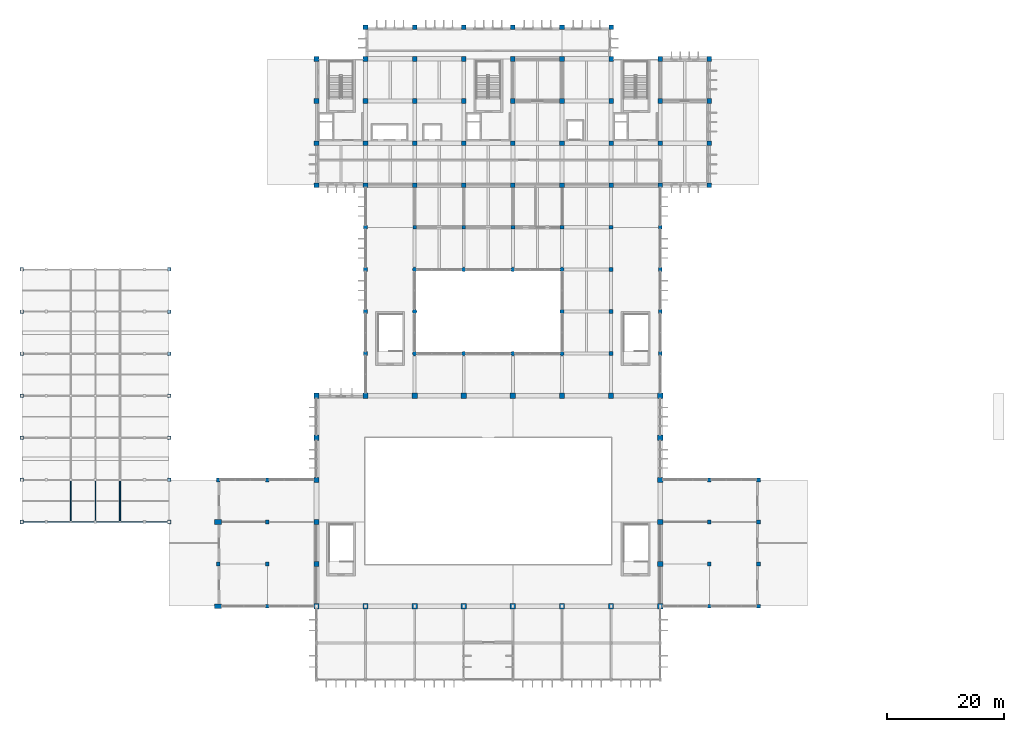
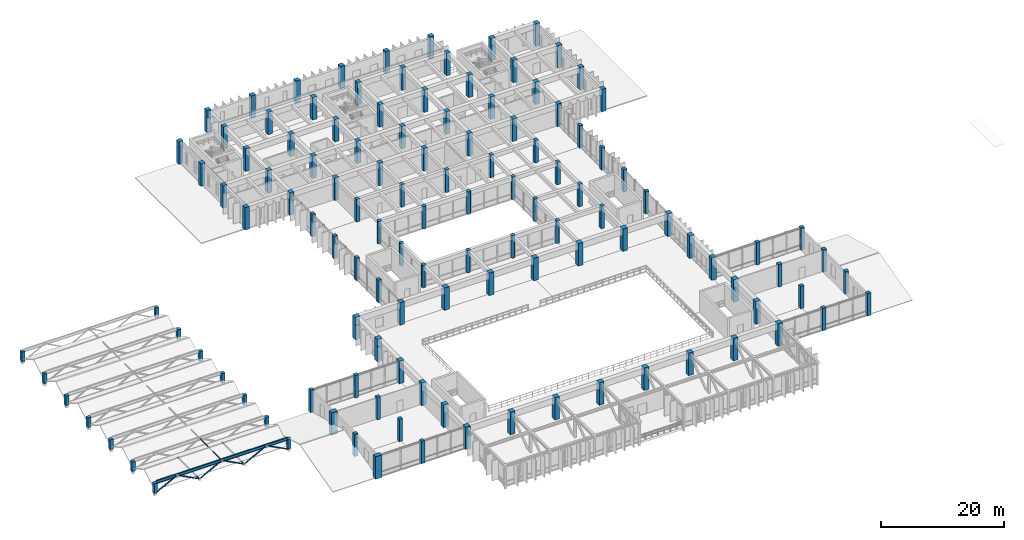
# One storey, part 1 of 40: 122 columns, 9 members, 1 beam.
"""IFC4 building model written with IfcOpenShell, lengths in metres."""

from ifc_helpers import new_model, si_unit, direction, frame, origin, origin_2d, place, context, subcontext, project, spatial, rectangle, circle, hollow_circle, i_section, extrude, material, material_profile, profile_set, type_object, element, save


model = new_model("IFC4")

# Units and contexts
model_context = context("Model", 3, precision=1e-05, world=origin(), true_north=direction((0.0, 1.0)))
body_context = subcontext(model_context, "Body", "Model", "MODEL_VIEW")
ifc_project = project(units=[si_unit("LENGTHUNIT", "METRE"), si_unit("AREAUNIT", "SQUARE_METRE"), si_unit("VOLUMEUNIT", "CUBIC_METRE"), si_unit("PLANEANGLEUNIT", "RADIAN"), si_unit("MASSUNIT", "GRAM", prefix="KILO")], contexts=[model_context])

# Site, building, storey
site_placement = place(None, origin())
site = spatial("IfcSite", under=ifc_project, at=site_placement, CompositionType="ELEMENT")
building_placement = place(site_placement, origin())
building = spatial("IfcBuilding", under=site, at=building_placement, Name="Kenerak Square Central Library", CompositionType="ELEMENT")
storey_placement = place(building_placement, frame((0.0, 0.0, 14.39990234375)))
storey = spatial("IfcBuildingStorey", under=building, at=storey_placement, Name="L03", CompositionType="ELEMENT", Elevation=14.39990234375)

# Columns
ifc_material_1 = material(Name="Concrete C40/50", Category="concrete")
ifc_material_profile_1 = material_profile(ifc_material_1, circle(Radius=0.375, at=origin_2d()), Name="RC D750")
ifc_profile_set_1 = profile_set([ifc_material_profile_1], Name="Concrete C40/50")
column_type_1 = type_object("IfcColumnType", Name="Atrium Column C-13 RC D750 C40/50", PredefinedType="COLUMN", material=ifc_profile_set_1)
for number, where, z_axis, x_axis, name in (
    (1, (75.199951171875, 60.0, 0.0), (0.0, 0.0, 1.0), (1.0, 0.0, 0.0), "Column C-13 L03 9/J"),
    (2, (75.199951171875, 67.199951171875, 0.0), (0.0, 0.0, 1.0), (1.0, 0.0, 0.0), "Column C-13 L03 9/K"),
    (3, (75.199951171875, 74.39990234375, 0.0), (0.0, 0.0, 1.0), (1.0, 0.0, 0.0), "Column C-13 L03 9/L"),
    (4, (83.60009765625, 60.0, 0.0), (0.0, 0.0, 1.0), (1.0, 0.0, 0.0), "Column C-13 L03 10/J"),
    (5, (83.60009765625, 74.39990234375, 0.0), (0.0, 0.0, 1.0), (1.0, 0.0, 0.0), "Column C-13 L03 10/L"),
    (6, (92.0, 60.0, 0.0), (0.0, 0.0, 1.0), (1.0, 0.0, 0.0), "Column C-13 L03 11/J"),
    (7, (92.0, 74.39990234375, 0.0), (0.0, 0.0, 1.0), (1.0, 0.0, 0.0), "Column C-13 L03 11/L"),
    (8, (100.39990234375, 60.0, 0.0), (0.0, 0.0, 1.0), (1.0, 0.0, 0.0), "Column C-13 L03 12/J"),
    (9, (100.39990234375, 67.199951171875, 0.0), (0.0, 0.0, 1.0), (1.0, 0.0, 0.0), "Column C-13 L03 12/K"),
    (10, (100.39990234375, 74.39990234375, 0.0), (0.0, 0.0, 1.0), (1.0, 0.0, 0.0), "Column C-13 L03 12/L"),
):
    element("IfcColumn", number, at=place(storey_placement, frame(where, z_axis=z_axis, x_axis=x_axis)), inside=storey, type_object=column_type_1, Name=name, PredefinedType="COLUMN", context=body_context, shape_type="SweptSolid", body=[
        extrude(circle(Radius=0.375, at=origin_2d()), origin(), (0.0, 0.0, 1.0), 4.47998046875),
    ])
ifc_material_2 = material(Name="Concrete C45/55", Category="concrete")
ifc_material_profile_2 = material_profile(ifc_material_2, rectangle(XDim=0.89990234375, YDim=0.89990234375, at=origin_2d()), Name="RC 900x900")
ifc_profile_set_2 = profile_set([ifc_material_profile_2], Name="Concrete C45/55")
column_type_2 = type_object("IfcColumnType", Name="Column C-02 RC 900x900 C45/55", PredefinedType="COLUMN", material=ifc_profile_set_2)
for number, where, z_axis, x_axis, name in (
    (11, (58.39990234375, 16.800048828125, 0.0), (0.0, 0.0, 1.0), (1.0, 0.0, 0.0), "Column C-02 L03 7/C"),
    (12, (58.39990234375, 24.0, 0.0), (0.0, 0.0, 1.0), (1.0, 0.0, 0.0), "Column C-02 L03 7/D"),
    (13, (58.39990234375, 31.199951171875, 0.0), (0.0, 0.0, 1.0), (1.0, 0.0, 0.0), "Column C-02 L03 7/E"),
    (14, (58.39990234375, 38.39990234375, 0.0), (0.0, 0.0, 1.0), (1.0, 0.0, 0.0), "Column C-02 L03 7/F"),
    (15, (58.39990234375, 45.60009765625, 0.0), (0.0, 0.0, 1.0), (1.0, 0.0, 0.0), "Column C-02 L03 7/G"),
    (16, (58.39990234375, 52.800048828125, 0.0), (0.0, 0.0, 1.0), (1.0, 0.0, 0.0), "Column C-02 L03 7/H"),
    (17, (66.800048828125, 16.800048828125, 0.0), (0.0, 0.0, 1.0), (1.0, 0.0, 0.0), "Column C-02 L03 8/C"),
    (18, (66.800048828125, 52.800048828125, 0.0), (0.0, 0.0, 1.0), (1.0, 0.0, 0.0), "Column C-02 L03 8/H"),
    (19, (75.199951171875, 16.800048828125, 0.0), (0.0, 0.0, 1.0), (1.0, 0.0, 0.0), "Column C-02 L03 9/C"),
    (20, (75.199951171875, 52.800048828125, 0.0), (0.0, 0.0, 1.0), (1.0, 0.0, 0.0), "Column C-02 L03 9/H"),
    (21, (83.60009765625, 16.800048828125, 0.0), (0.0, 0.0, 1.0), (1.0, 0.0, 0.0), "Column C-02 L03 10/C"),
    (22, (83.60009765625, 52.800048828125, 0.0), (0.0, 0.0, 1.0), (1.0, 0.0, 0.0), "Column C-02 L03 10/H"),
    (23, (92.0, 16.800048828125, 0.0), (0.0, 0.0, 1.0), (1.0, 0.0, 0.0), "Column C-02 L03 11/C"),
    (24, (92.0, 52.800048828125, 0.0), (0.0, 0.0, 1.0), (1.0, 0.0, 0.0), "Column C-02 L03 11/H"),
    (25, (100.39990234375, 16.800048828125, 0.0), (0.0, 0.0, 1.0), (1.0, 0.0, 0.0), "Column C-02 L03 12/C"),
    (26, (100.39990234375, 52.800048828125, 0.0), (0.0, 0.0, 1.0), (1.0, 0.0, 0.0), "Column C-02 L03 12/H"),
    (27, (108.800048828125, 16.800048828125, 0.0), (0.0, 0.0, 1.0), (1.0, 0.0, 0.0), "Column C-02 L03 13/C"),
    (28, (108.800048828125, 52.800048828125, 0.0), (0.0, 0.0, 1.0), (1.0, 0.0, 0.0), "Column C-02 L03 13/H"),
    (29, (117.199951171875, 16.800048828125, 0.0), (0.0, 0.0, 1.0), (1.0, 0.0, 0.0), "Column C-02 L03 14/C"),
    (30, (117.199951171875, 24.0, 0.0), (0.0, 0.0, 1.0), (1.0, 0.0, 0.0), "Column C-02 L03 14/D"),
    (31, (117.199951171875, 31.199951171875, 0.0), (0.0, 0.0, 1.0), (1.0, 0.0, 0.0), "Column C-02 L03 14/E"),
    (32, (117.199951171875, 38.39990234375, 0.0), (0.0, 0.0, 1.0), (1.0, 0.0, 0.0), "Column C-02 L03 14/F"),
    (33, (117.199951171875, 45.60009765625, 0.0), (0.0, 0.0, 1.0), (1.0, 0.0, 0.0), "Column C-02 L03 14/G"),
    (34, (117.199951171875, 52.800048828125, 0.0), (0.0, 0.0, 1.0), (1.0, 0.0, 0.0), "Column C-02 L03 14/H"),
):
    element("IfcColumn", number, at=place(storey_placement, frame(where, z_axis=z_axis, x_axis=x_axis)), inside=storey, type_object=column_type_2, Name=name, PredefinedType="COLUMN", context=body_context, shape_type="SweptSolid", body=[
        extrude(rectangle(XDim=0.89990234375, YDim=0.89990234375, at=origin_2d()), origin(), (0.0, 0.0, 1.0), 4.47998046875),
    ])
ifc_material_profile_3 = material_profile(ifc_material_2, rectangle(XDim=0.800048828125, YDim=0.800048828125, at=origin_2d()), Name="RC 800x800")
ifc_profile_set_3 = profile_set([ifc_material_profile_3], Name="Concrete C45/55")
column_type_3 = type_object("IfcColumnType", Name="Column C-04 RC 800x800 C45/55", PredefinedType="COLUMN", material=ifc_profile_set_3)
for number, where, z_axis, x_axis, name in (
    (35, (58.39990234375, 88.800048828125, 0.0), (0.0, 0.0, 1.0), (1.0, 0.0, 0.0), "Column C-04 L03 7/N"),
    (36, (58.39990234375, 96.0, 0.0), (0.0, 0.0, 1.0), (1.0, 0.0, 0.0), "Column C-04 L03 7/P"),
    (37, (58.39990234375, 103.199951171875, 0.0), (0.0, 0.0, 1.0), (1.0, 0.0, 0.0), "Column C-04 L03 7/Q"),
    (38, (58.39990234375, 110.39990234375, 0.0), (0.0, 0.0, 1.0), (1.0, 0.0, 0.0), "Column C-04 L03 7/R"),
    (39, (66.800048828125, 88.800048828125, 0.0), (0.0, 0.0, 1.0), (1.0, 0.0, 0.0), "Column C-04 L03 8/N"),
    (40, (66.800048828125, 96.0, 0.0), (0.0, 0.0, 1.0), (1.0, 0.0, 0.0), "Column C-04 L03 8/P"),
    (41, (66.800048828125, 103.199951171875, 0.0), (0.0, 0.0, 1.0), (1.0, 0.0, 0.0), "Column C-04 L03 8/Q"),
    (42, (66.800048828125, 110.39990234375, 0.0), (0.0, 0.0, 1.0), (1.0, 0.0, 0.0), "Column C-04 L03 8/R"),
    (43, (66.800048828125, 115.800048828125, 0.0), (0.0, 0.0, 1.0), (1.0, 0.0, 0.0), "Column C-04 L03 8/S"),
    (44, (75.199951171875, 88.800048828125, 0.0), (0.0, 0.0, 1.0), (1.0, 0.0, 0.0), "Column C-04 L03 9/N"),
    (45, (75.199951171875, 96.0, 0.0), (0.0, 0.0, 1.0), (1.0, 0.0, 0.0), "Column C-04 L03 9/P"),
    (46, (75.199951171875, 103.199951171875, 0.0), (0.0, 0.0, 1.0), (1.0, 0.0, 0.0), "Column C-04 L03 9/Q"),
    (47, (75.199951171875, 110.39990234375, 0.0), (0.0, 0.0, 1.0), (1.0, 0.0, 0.0), "Column C-04 L03 9/R"),
    (48, (75.199951171875, 115.800048828125, 0.0), (0.0, 0.0, 1.0), (1.0, 0.0, 0.0), "Column C-04 L03 9/S"),
    (49, (83.60009765625, 88.800048828125, 0.0), (0.0, 0.0, 1.0), (1.0, 0.0, 0.0), "Column C-04 L03 10/N"),
    (50, (83.60009765625, 96.0, 0.0), (0.0, 0.0, 1.0), (1.0, 0.0, 0.0), "Column C-04 L03 10/P"),
    (51, (83.60009765625, 103.199951171875, 0.0), (0.0, 0.0, 1.0), (1.0, 0.0, 0.0), "Column C-04 L03 10/Q"),
    (52, (83.60009765625, 110.39990234375, 0.0), (0.0, 0.0, 1.0), (1.0, 0.0, 0.0), "Column C-04 L03 10/R"),
    (53, (83.60009765625, 115.800048828125, 0.0), (0.0, 0.0, 1.0), (1.0, 0.0, 0.0), "Column C-04 L03 10/S"),
    (54, (92.0, 88.800048828125, 0.0), (0.0, 0.0, 1.0), (1.0, 0.0, 0.0), "Column C-04 L03 11/N"),
    (55, (92.0, 96.0, 0.0), (0.0, 0.0, 1.0), (1.0, 0.0, 0.0), "Column C-04 L03 11/P"),
    (56, (92.0, 103.199951171875, 0.0), (0.0, 0.0, 1.0), (1.0, 0.0, 0.0), "Column C-04 L03 11/Q"),
    (57, (92.0, 110.39990234375, 0.0), (0.0, 0.0, 1.0), (1.0, 0.0, 0.0), "Column C-04 L03 11/R"),
    (58, (92.0, 115.800048828125, 0.0), (0.0, 0.0, 1.0), (1.0, 0.0, 0.0), "Column C-04 L03 11/S"),
    (59, (100.39990234375, 88.800048828125, 0.0), (0.0, 0.0, 1.0), (1.0, 0.0, 0.0), "Column C-04 L03 12/N"),
    (60, (100.39990234375, 96.0, 0.0), (0.0, 0.0, 1.0), (1.0, 0.0, 0.0), "Column C-04 L03 12/P"),
    (61, (100.39990234375, 103.199951171875, 0.0), (0.0, 0.0, 1.0), (1.0, 0.0, 0.0), "Column C-04 L03 12/Q"),
    (62, (100.39990234375, 110.39990234375, 0.0), (0.0, 0.0, 1.0), (1.0, 0.0, 0.0), "Column C-04 L03 12/R"),
    (63, (100.39990234375, 115.800048828125, 0.0), (0.0, 0.0, 1.0), (1.0, 0.0, 0.0), "Column C-04 L03 12/S"),
    (64, (108.800048828125, 88.800048828125, 0.0), (0.0, 0.0, 1.0), (1.0, 0.0, 0.0), "Column C-04 L03 13/N"),
    (65, (108.800048828125, 96.0, 0.0), (0.0, 0.0, 1.0), (1.0, 0.0, 0.0), "Column C-04 L03 13/P"),
    (66, (108.800048828125, 103.199951171875, 0.0), (0.0, 0.0, 1.0), (1.0, 0.0, 0.0), "Column C-04 L03 13/Q"),
    (67, (108.800048828125, 110.39990234375, 0.0), (0.0, 0.0, 1.0), (1.0, 0.0, 0.0), "Column C-04 L03 13/R"),
    (68, (108.800048828125, 115.800048828125, 0.0), (0.0, 0.0, 1.0), (1.0, 0.0, 0.0), "Column C-04 L03 13/S"),
    (69, (117.199951171875, 88.800048828125, 0.0), (0.0, 0.0, 1.0), (1.0, 0.0, 0.0), "Column C-04 L03 14/N"),
    (70, (117.199951171875, 96.0, 0.0), (0.0, 0.0, 1.0), (1.0, 0.0, 0.0), "Column C-04 L03 14/P"),
    (71, (117.199951171875, 103.199951171875, 0.0), (0.0, 0.0, 1.0), (1.0, 0.0, 0.0), "Column C-04 L03 14/Q"),
    (72, (117.199951171875, 110.39990234375, 0.0), (0.0, 0.0, 1.0), (1.0, 0.0, 0.0), "Column C-04 L03 14/R"),
    (73, (125.60009765625, 88.800048828125, 0.0), (0.0, 0.0, 1.0), (1.0, 0.0, 0.0), "Column C-04 L03 15/N"),
    (74, (125.60009765625, 96.0, 0.0), (0.0, 0.0, 1.0), (1.0, 0.0, 0.0), "Column C-04 L03 15/P"),
    (75, (125.60009765625, 103.199951171875, 0.0), (0.0, 0.0, 1.0), (1.0, 0.0, 0.0), "Column C-04 L03 15/Q"),
    (76, (125.60009765625, 110.39990234375, 0.0), (0.0, 0.0, 1.0), (1.0, 0.0, 0.0), "Column C-04 L03 15/R"),
):
    element("IfcColumn", number, at=place(storey_placement, frame(where, z_axis=z_axis, x_axis=x_axis)), inside=storey, type_object=column_type_3, Name=name, PredefinedType="COLUMN", context=body_context, shape_type="SweptSolid", body=[
        extrude(rectangle(XDim=0.800048828125, YDim=0.800048828125, at=origin_2d()), origin(), (0.0, 0.0, 1.0), 4.47998046875),
    ])
ifc_material_profile_4 = material_profile(ifc_material_1, rectangle(XDim=0.64990234375, YDim=0.64990234375, at=origin_2d()), Name="RC 650x650")
ifc_profile_set_4 = profile_set([ifc_material_profile_4], Name="Concrete C40/50")
column_type_4 = type_object("IfcColumnType", Name="Column C-07 RC 650x650 C40/50", PredefinedType="COLUMN", material=ifc_profile_set_4)
for number, where, z_axis, x_axis, name in (
    (77, (41.60009765625, 24.0, 0.0), (0.0, 0.0, 1.0), (1.0, 0.0, 0.0), "Column C-07 L03 5/D"),
    (78, (41.60009765625, 38.39990234375, 0.0), (0.0, 0.0, 1.0), (1.0, 0.0, 0.0), "Column C-07 L03 5/F"),
    (79, (50.0, 16.800048828125, 0.0), (0.0, 0.0, 1.0), (1.0, 0.0, 0.0), "Column C-07 L03 6/C"),
    (80, (50.0, 24.0, 0.0), (0.0, 0.0, 1.0), (1.0, 0.0, 0.0), "Column C-07 L03 6/D"),
    (81, (50.0, 31.199951171875, 0.0), (0.0, 0.0, 1.0), (1.0, 0.0, 0.0), "Column C-07 L03 6/E"),
    (82, (50.0, 38.39990234375, 0.0), (0.0, 0.0, 1.0), (1.0, 0.0, 0.0), "Column C-07 L03 6/F"),
    (83, (66.800048828125, 60.0, 0.0), (0.0, 0.0, 1.0), (1.0, 0.0, 0.0), "Column C-07 L03 8/J"),
    (84, (66.800048828125, 67.199951171875, 0.0), (0.0, 0.0, 1.0), (1.0, 0.0, 0.0), "Column C-07 L03 8/K"),
    (85, (66.800048828125, 74.39990234375, 0.0), (0.0, 0.0, 1.0), (1.0, 0.0, 0.0), "Column C-07 L03 8/L"),
    (86, (66.800048828125, 81.60009765625, 0.0), (0.0, 0.0, 1.0), (1.0, 0.0, 0.0), "Column C-07 L03 8/M"),
    (87, (75.199951171875, 81.60009765625, 0.0), (0.0, 0.0, 1.0), (1.0, 0.0, 0.0), "Column C-07 L03 9/M"),
    (88, (83.60009765625, 81.60009765625, 0.0), (0.0, 0.0, 1.0), (1.0, 0.0, 0.0), "Column C-07 L03 10/M"),
    (89, (92.0, 81.60009765625, 0.0), (0.0, 0.0, 1.0), (1.0, 0.0, 0.0), "Column C-07 L03 11/M"),
    (90, (100.39990234375, 81.60009765625, 0.0), (0.0, 0.0, 1.0), (1.0, 0.0, 0.0), "Column C-07 L03 12/M"),
    (91, (108.800048828125, 60.0, 0.0), (0.0, 0.0, 1.0), (1.0, 0.0, 0.0), "Column C-07 L03 13/J"),
    (92, (108.800048828125, 67.199951171875, 0.0), (0.0, 0.0, 1.0), (1.0, 0.0, 0.0), "Column C-07 L03 13/K"),
    (93, (108.800048828125, 74.39990234375, 0.0), (0.0, 0.0, 1.0), (1.0, 0.0, 0.0), "Column C-07 L03 13/L"),
    (94, (108.800048828125, 81.60009765625, 0.0), (0.0, 0.0, 1.0), (1.0, 0.0, 0.0), "Column C-07 L03 13/M"),
    (95, (117.199951171875, 60.0, 0.0), (0.0, 0.0, 1.0), (1.0, 0.0, 0.0), "Column C-07 L03 14/J"),
    (96, (117.199951171875, 67.199951171875, 0.0), (0.0, 0.0, 1.0), (1.0, 0.0, 0.0), "Column C-07 L03 14/K"),
    (97, (117.199951171875, 74.39990234375, 0.0), (0.0, 0.0, 1.0), (1.0, 0.0, 0.0), "Column C-07 L03 14/L"),
    (98, (117.199951171875, 81.60009765625, 0.0), (0.0, 0.0, 1.0), (1.0, 0.0, 0.0), "Column C-07 L03 14/M"),
    (99, (125.60009765625, 16.800048828125, 0.0), (0.0, 0.0, 1.0), (1.0, 0.0, 0.0), "Column C-07 L03 15/C"),
    (100, (125.60009765625, 24.0, 0.0), (0.0, 0.0, 1.0), (1.0, 0.0, 0.0), "Column C-07 L03 15/D"),
    (101, (125.60009765625, 31.199951171875, 0.0), (0.0, 0.0, 1.0), (1.0, 0.0, 0.0), "Column C-07 L03 15/E"),
    (102, (125.60009765625, 38.39990234375, 0.0), (0.0, 0.0, 1.0), (1.0, 0.0, 0.0), "Column C-07 L03 15/F"),
    (103, (134.0, 16.800048828125, 0.0), (0.0, 0.0, 1.0), (1.0, 0.0, 0.0), "Column C-07 L03 16/C"),
    (104, (134.0, 24.0, 0.0), (0.0, 0.0, 1.0), (1.0, 0.0, 0.0), "Column C-07 L03 16/D"),
    (105, (134.0, 31.199951171875, 0.0), (0.0, 0.0, 1.0), (1.0, 0.0, 0.0), "Column C-07 L03 16/E"),
    (106, (134.0, 38.39990234375, 0.0), (0.0, 0.0, 1.0), (1.0, 0.0, 0.0), "Column C-07 L03 16/F"),
):
    element("IfcColumn", number, at=place(storey_placement, frame(where, z_axis=z_axis, x_axis=x_axis)), inside=storey, type_object=column_type_4, Name=name, PredefinedType="COLUMN", context=body_context, shape_type="SweptSolid", body=[
        extrude(rectangle(XDim=0.64990234375, YDim=0.64990234375, at=origin_2d()), origin(), (0.0, 0.0, 1.0), 4.47998046875),
    ])
ifc_material_profile_5 = material_profile(ifc_material_1, rectangle(XDim=0.60009765625, YDim=0.60009765625, at=origin_2d()), Name="RC 600x600")
ifc_profile_set_5 = profile_set([ifc_material_profile_5], Name="Concrete C40/50")
column_type_5 = type_object("IfcColumnType", Name="Column C-08 RC 600x600 C40/50", PredefinedType="COLUMN", material=ifc_profile_set_5)
for number, where, z_axis, x_axis, name in (
    (107, (8.0, 38.39990234375, 0.0), (0.0, 0.0, 1.0), (1.0, 0.0, 0.0), "Auditorium Truss Pier 1-8"),
    (108, (33.199951171875, 38.39990234375, 0.0), (0.0, 0.0, 1.0), (1.0, 0.0, 0.0), "Auditorium Truss Pier 1-33"),
    (109, (8.0, 45.60009765625, 0.0), (0.0, 0.0, 1.0), (1.0, 0.0, 0.0), "Auditorium Truss Pier 2-8"),
    (110, (33.199951171875, 45.60009765625, 0.0), (0.0, 0.0, 1.0), (1.0, 0.0, 0.0), "Auditorium Truss Pier 2-33"),
    (111, (8.0, 52.800048828125, 0.0), (0.0, 0.0, 1.0), (1.0, 0.0, 0.0), "Auditorium Truss Pier 3-8"),
    (112, (33.199951171875, 52.800048828125, 0.0), (0.0, 0.0, 1.0), (1.0, 0.0, 0.0), "Auditorium Truss Pier 3-33"),
    (113, (8.0, 60.0, 0.0), (0.0, 0.0, 1.0), (1.0, 0.0, 0.0), "Auditorium Truss Pier 4-8"),
    (114, (33.199951171875, 60.0, 0.0), (0.0, 0.0, 1.0), (1.0, 0.0, 0.0), "Auditorium Truss Pier 4-33"),
    (115, (8.0, 67.199951171875, 0.0), (0.0, 0.0, 1.0), (1.0, 0.0, 0.0), "Auditorium Truss Pier 5-8"),
    (116, (33.199951171875, 67.199951171875, 0.0), (0.0, 0.0, 1.0), (1.0, 0.0, 0.0), "Auditorium Truss Pier 5-33"),
    (117, (8.0, 31.199951171875, 0.0), (0.0, 0.0, 1.0), (1.0, 0.0, 0.0), "Auditorium Truss Pier 6-8"),
    (118, (33.199951171875, 31.199951171875, 0.0), (0.0, 0.0, 1.0), (1.0, 0.0, 0.0), "Auditorium Truss Pier 6-33"),
    (119, (8.0, 74.39990234375, 0.0), (0.0, 0.0, 1.0), (1.0, 0.0, 0.0), "Auditorium Truss Pier 7-8"),
    (120, (33.199951171875, 74.39990234375, 0.0), (0.0, 0.0, 1.0), (1.0, 0.0, 0.0), "Auditorium Truss Pier 7-33"),
):
    element("IfcColumn", number, at=place(storey_placement, frame(where, z_axis=z_axis, x_axis=x_axis)), inside=storey, type_object=column_type_5, Name=name, PredefinedType="COLUMN", context=body_context, shape_type="SweptSolid", body=[
        extrude(rectangle(XDim=0.60009765625, YDim=0.60009765625, at=origin_2d()), origin(), (0.0, 0.0, 1.0), 1.97998046875),
    ])
ifc_material_profile_6 = material_profile(ifc_material_2, rectangle(XDim=1.199951171875, YDim=0.800048828125, at=origin_2d()), Name="RC 1200x800")
ifc_profile_set_6 = profile_set([ifc_material_profile_6], Name="Concrete C45/55")
column_type_6 = type_object("IfcColumnType", Name="Column C-10 RC 1200x800 C45/55", PredefinedType="COLUMN", material=ifc_profile_set_6)
for number, where, z_axis, x_axis, name in (
    (121, (41.60009765625, 16.800048828125, 0.0), (0.0, 0.0, 1.0), (1.0, 0.0, 0.0), "Column C-10 L03 5/C"),
    (122, (41.60009765625, 31.199951171875, 0.0), (0.0, 0.0, 1.0), (1.0, 0.0, 0.0), "Column C-10 L03 5/E"),
):
    element("IfcColumn", number, at=place(storey_placement, frame(where, z_axis=z_axis, x_axis=x_axis)), inside=storey, type_object=column_type_6, Name=name, PredefinedType="COLUMN", context=body_context, shape_type="SweptSolid", body=[
        extrude(rectangle(XDim=1.199951171875, YDim=0.800048828125, at=origin_2d()), origin(), (0.0, 0.0, 1.0), 4.47998046875),
    ])

# Beam
ifc_material_3 = material(Name="Steel S355", Category="steel")
ifc_material_profile_7 = material_profile(ifc_material_3, i_section(OverallWidth=0.219970703125, OverallDepth=0.60009765625, WebThickness=0.011962890625, FlangeThickness=0.01904296875, FilletRadius=0.02392578125, at=origin_2d()), Name="IPE 600")
ifc_profile_set_7 = profile_set([ifc_material_profile_7], Name="Steel S355")
beam_type = type_object("IfcBeamType", Name="Auditorium Roof Rafter SB-06 IPE 600 S355", PredefinedType="BEAM", material=ifc_profile_set_7)
beam_placement = place(storey_placement, frame((8.25, 31.199951171875, 1.97998046875), z_axis=(1.0, 0.0, 0.0), x_axis=(0.0, 1.0, 0.0)))
element("IfcBeam", 123, at=beam_placement, inside=storey, type_object=beam_type, Name="Auditorium Truss Top Girder 06", PredefinedType="BEAM", context=body_context, shape_type="SweptSolid", body=[
    extrude(i_section(OverallWidth=0.219970703125, OverallDepth=0.60009765625, WebThickness=0.011962890625, FlangeThickness=0.01904296875, FilletRadius=0.02392578125, at=origin_2d()), origin(), (0.0, 0.0, 1.0), 24.699951171875),
])

# Members
ifc_material_profile_8 = material_profile(ifc_material_3, hollow_circle(Radius=0.096923828125, WallThickness=0.008056640625, at=origin_2d()), Name="CHS 193.7x8.0")
ifc_profile_set_8 = profile_set([ifc_material_profile_8], Name="Steel S355")
member_type_1 = type_object("IfcMemberType", Name="Auditorium Sway Tie AT-03 CHS 193.7x8 S355", PredefinedType="BRACE", material=ifc_profile_set_8)
member_placement = place(storey_placement, frame((20.60009765625, 31.199951171875, 1.97998046875), z_axis=(0.0, 1.0, 0.0), x_axis=(-1.0, 0.0, 0.0)))
element("IfcMember", 124, at=member_placement, inside=storey, type_object=member_type_1, Name="Auditorium Ridge Sway Tie AT-03 05", PredefinedType="BRACE", context=body_context, shape_type="SweptSolid", body=[
    extrude(hollow_circle(Radius=0.096923828125, WallThickness=0.008056640625, at=origin_2d()), origin(), (0.0, 0.0, 1.0), 7.199951171875),
])
ifc_material_profile_9 = material_profile(ifc_material_3, hollow_circle(Radius=0.109619140625, WallThickness=0.008056640625, at=origin_2d()), Name="CHS 219.1x8.0")
ifc_profile_set_9 = profile_set([ifc_material_profile_9], Name="Steel S355")
member_type_2 = type_object("IfcMemberType", Name="Auditorium Truss Diagonal AT-02 CHS 219.1x8 S355", PredefinedType="BRACE", material=ifc_profile_set_9)
for number, where, z_axis, x_axis, name in (
    (125, (8.0, 31.199951171875, -0.25), (0.883224048295, 0.0, 0.468951256009), (0.0, 1.0, 0.0), "Auditorium Truss Web Diagonal 0259"),
    (126, (12.199951171875, 31.199951171875, 1.97998046875), (0.883224048295, 0.0, -0.468951256009), (0.0, 1.0, 0.0), "Auditorium Truss Counter Web 0260"),
    (127, (16.39990234375, 31.199951171875, -0.25), (0.88323533826, 0.0, 0.468929991843), (0.0, 1.0, 0.0), "Auditorium Truss Web Diagonal 0261"),
    (128, (20.60009765625, 31.199951171875, 1.97998046875), (0.883224048295, 0.0, -0.468951256009), (0.0, 1.0, 0.0), "Auditorium Truss Counter Web 0262"),
    (129, (24.800048828125, 31.199951171875, -0.25), (0.883224048295, 0.0, 0.468951256009), (0.0, 1.0, 0.0), "Auditorium Truss Web Diagonal 0263"),
    (130, (29.0, 31.199951171875, 1.97998046875), (0.883224048295, 0.0, -0.468951256009), (0.0, 1.0, 0.0), "Auditorium Truss Counter Web 0264"),
):
    element("IfcMember", number, at=place(storey_placement, frame(where, z_axis=z_axis, x_axis=x_axis)), inside=storey, type_object=member_type_2, Name=name, PredefinedType="BRACE", context=body_context, shape_type="SweptSolid", body=[
        extrude(hollow_circle(Radius=0.109619140625, WallThickness=0.008056640625, at=origin_2d()), origin(), (0.0, 0.0, 1.0), 4.75537109375),
    ])
ifc_material_profile_10 = material_profile(ifc_material_3, hollow_circle(Radius=0.136474609375, WallThickness=0.010009765625, at=origin_2d()), Name="CHS 273.0x10.0")
ifc_profile_set_10 = profile_set([ifc_material_profile_10], Name="Steel S355")
member_type_3 = type_object("IfcMemberType", Name="Auditorium Truss Tie AT-01 CHS 273.0x10 S355", PredefinedType="CHORD", material=ifc_profile_set_10)
for number, where, z_axis, x_axis, name in (
    (131, (16.39990234375, 31.199951171875, -0.25), (0.0, 1.0, 0.0), (-1.0, 0.0, 0.0), "Auditorium Truss Longitudinal Tie AT-01 5-1"),
    (132, (24.800048828125, 31.199951171875, -0.25), (0.0, 1.0, 0.0), (-1.0, 0.0, 0.0), "Auditorium Truss Longitudinal Tie AT-01 5-2"),
):
    element("IfcMember", number, at=place(storey_placement, frame(where, z_axis=z_axis, x_axis=x_axis)), inside=storey, type_object=member_type_3, Name=name, PredefinedType="CHORD", context=body_context, shape_type="SweptSolid", body=[
        extrude(hollow_circle(Radius=0.136474609375, WallThickness=0.010009765625, at=origin_2d()), origin(), (0.0, 0.0, 1.0), 7.199951171875),
    ])

save(model, "model.ifc")
